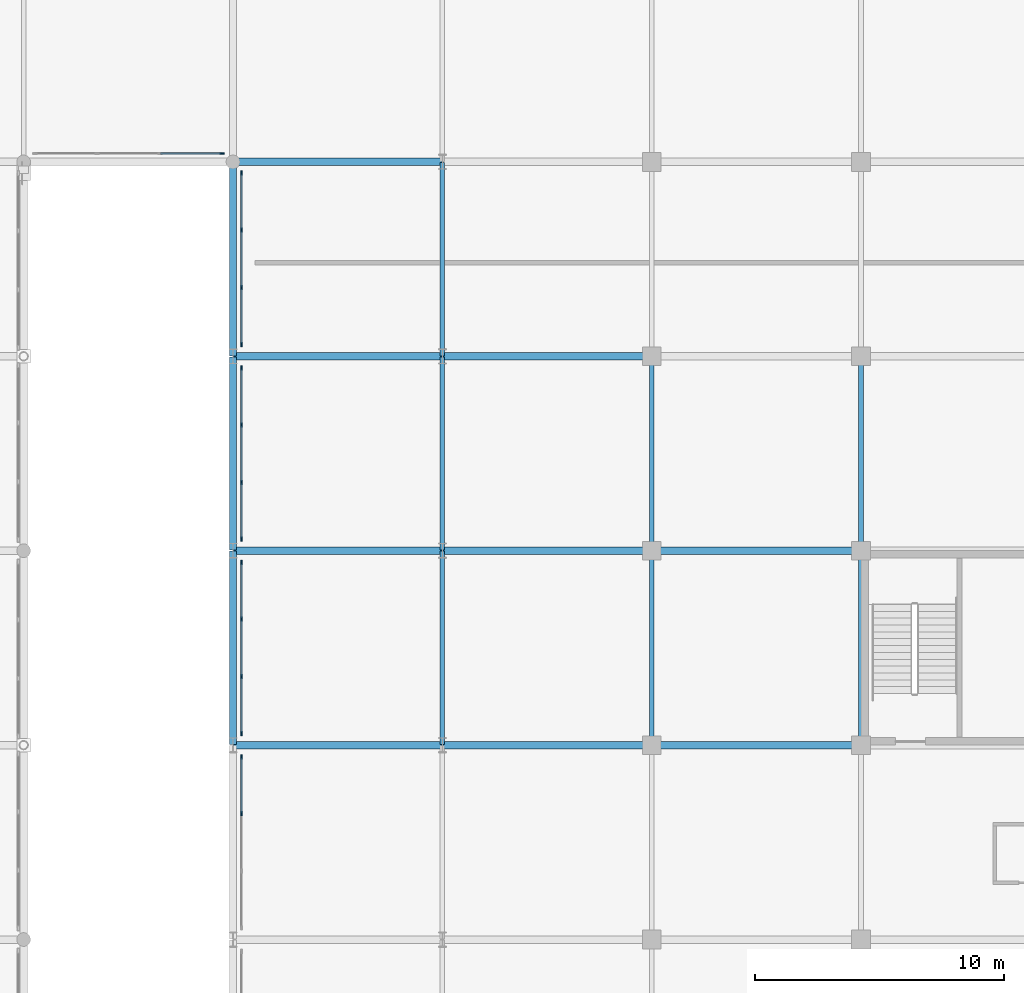
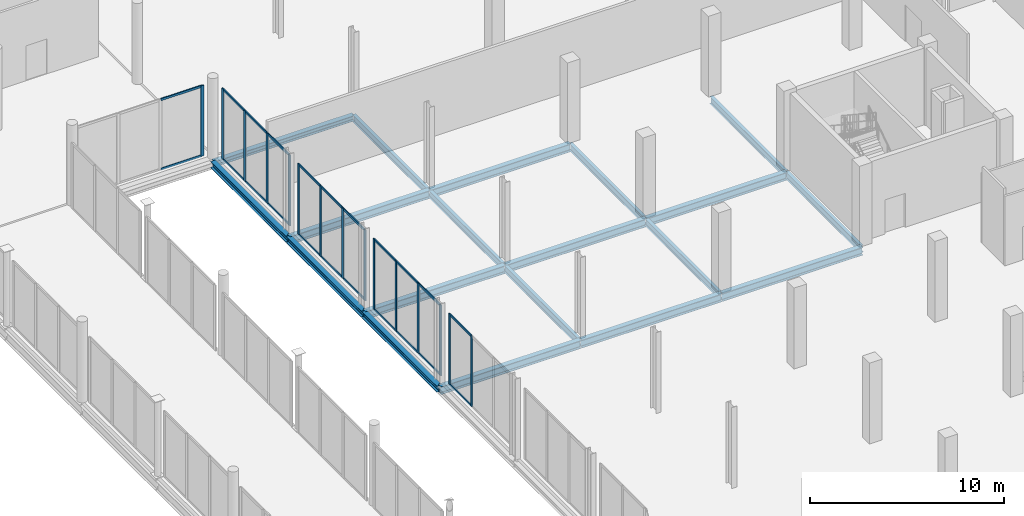
# One storey, part 61 of 105: 37 members, 19 beams, 5 elements without a shape of their own.
"""IFC4 building model written with IfcOpenShell, lengths in metres."""

from ifc_helpers import new_model, si_unit, direction, frame, origin, origin_2d, place, context, subcontext, project, spatial, rectangle, i_section, extrude, material, material_profile, profile_set, type_object, element, aggregate, save


model = new_model("IFC4")

# Units and contexts
model_context = context("Model", 3, precision=1e-05, world=origin(), true_north=direction((0.0, 1.0)))
body_context = subcontext(model_context, "Body", "Model", "MODEL_VIEW")
ifc_project = project(units=[si_unit("LENGTHUNIT", "METRE"), si_unit("AREAUNIT", "SQUARE_METRE"), si_unit("VOLUMEUNIT", "CUBIC_METRE"), si_unit("PLANEANGLEUNIT", "RADIAN"), si_unit("MASSUNIT", "GRAM", prefix="KILO")], contexts=[model_context])

# Site, building, storey
site_placement = place(None, origin())
site = spatial("IfcSite", under=ifc_project, at=site_placement, CompositionType="ELEMENT")
building_placement = place(site_placement, origin())
building = spatial("IfcBuilding", under=site, at=building_placement, Name="Nabrawat Pavilion Hospital", CompositionType="ELEMENT")
storey_placement = place(building_placement, frame((0.0, 0.0, 5.10009765625)))
storey = spatial("IfcBuildingStorey", under=building, at=storey_placement, Name="L01", CompositionType="ELEMENT", Elevation=5.10009765625)

# Curtain wall, member
ifc_material_1 = material(Name="Anodised Aluminium", Category="aluminium")
curtain_wall_type = type_object("IfcCurtainWallType", Name="Healing Garden Cloister Curtain Wall", PredefinedType="USERDEFINED", material=ifc_material_1)
curtain_wall_1_placement = place(storey_placement, origin())
curtain_wall_1 = element("IfcCurtainWall", 1, at=curtain_wall_1_placement, inside=storey, type_object=curtain_wall_type, Name="L01 Healing Garden Cloister Curtain Wall 084", ObjectType="CURTAIN WALL", PredefinedType="USERDEFINED")
ifc_material_profile_1 = material_profile(ifc_material_1, rectangle(XDim=0.06494140625, YDim=0.179931640625, at=origin_2d()), Name="CWM 65x180")
ifc_profile_set_1 = profile_set([ifc_material_profile_1], Name="Anodised Aluminium")
member_type_1 = type_object("IfcMemberType", Name="Healing Garden Cloister Curtain Wall Mullion CWM 65x180", PredefinedType="MULLION", material=ifc_profile_set_1)
member_1_placement = place(storey_placement, frame((125.552490234375, 86.139892578125, 0.0), z_axis=(0.0, 0.0, 1.0), x_axis=(0.0, 1.0, 0.0)))
member_1 = element("IfcMember", 2, at=member_1_placement, type_object=member_type_1, Name="CW-CLN-01 mullion 4", PredefinedType="MULLION", context=body_context, shape_type="SweptSolid", body=[
    extrude(rectangle(XDim=0.06494140625, YDim=0.179931640625, at=origin_2d()), origin(), (0.0, 0.0, 1.0), 4.43994140625),
])

# Curtain wall, members
curtain_wall_2_placement = place(storey_placement, origin())
curtain_wall_2 = element("IfcCurtainWall", 3, at=curtain_wall_2_placement, inside=storey, type_object=curtain_wall_type, Name="L01 Healing Garden Cloister Curtain Wall 088", ObjectType="CURTAIN WALL", PredefinedType="USERDEFINED")
member_2_placement = place(storey_placement, frame((126.340087890625, 59.6533203125, 0.0), z_axis=(0.0, 0.0, 1.0), x_axis=(-1.0, 0.0, 0.0)))
member_2 = element("IfcMember", 4, at=member_2_placement, type_object=member_type_1, Name="CW-CLN-01 mullion 3", PredefinedType="MULLION", context=body_context, shape_type="SweptSolid", body=[
    extrude(rectangle(XDim=0.06494140625, YDim=0.179931640625, at=origin_2d()), origin(), (0.0, 0.0, 1.0), 4.43994140625),
])
member_3_placement = place(storey_placement, frame((126.340087890625, 61.927490234375, 0.0), z_axis=(0.0, 0.0, 1.0), x_axis=(-1.0, 0.0, 0.0)))
member_3 = element("IfcMember", 5, at=member_3_placement, type_object=member_type_1, Name="CW-CLN-01 mullion 4", PredefinedType="MULLION", context=body_context, shape_type="SweptSolid", body=[
    extrude(rectangle(XDim=0.06494140625, YDim=0.179931640625, at=origin_2d()), origin(), (0.0, 0.0, 1.0), 4.43994140625),
])

curtain_wall_3_placement = place(storey_placement, origin())
curtain_wall_3 = element("IfcCurtainWall", 6, at=curtain_wall_3_placement, inside=storey, type_object=curtain_wall_type, Name="L01 Healing Garden Cloister Curtain Wall 089", ObjectType="CURTAIN WALL", PredefinedType="USERDEFINED")
member_4_placement = place(storey_placement, frame((126.340087890625, 62.87255859375, 0.0), z_axis=(0.0, 0.0, 1.0), x_axis=(-1.0, 0.0, 0.0)))
member_4 = element("IfcMember", 7, at=member_4_placement, type_object=member_type_1, Name="CW-CLN-01 mullion 1", PredefinedType="MULLION", context=body_context, shape_type="SweptSolid", body=[
    extrude(rectangle(XDim=0.06494140625, YDim=0.179931640625, at=origin_2d()), origin(), (0.0, 0.0, 1.0), 4.43994140625),
])
member_5_placement = place(storey_placement, frame((126.340087890625, 65.146728515625, 0.0), z_axis=(0.0, 0.0, 1.0), x_axis=(-1.0, 0.0, 0.0)))
member_5 = element("IfcMember", 8, at=member_5_placement, type_object=member_type_1, Name="CW-CLN-01 mullion 2", PredefinedType="MULLION", context=body_context, shape_type="SweptSolid", body=[
    extrude(rectangle(XDim=0.06494140625, YDim=0.179931640625, at=origin_2d()), origin(), (0.0, 0.0, 1.0), 4.43994140625),
])
member_6_placement = place(storey_placement, frame((126.340087890625, 67.453369140625, 0.0), z_axis=(0.0, 0.0, 1.0), x_axis=(-1.0, 0.0, 0.0)))
member_6 = element("IfcMember", 9, at=member_6_placement, type_object=member_type_1, Name="CW-CLN-01 mullion 3", PredefinedType="MULLION", context=body_context, shape_type="SweptSolid", body=[
    extrude(rectangle(XDim=0.06494140625, YDim=0.179931640625, at=origin_2d()), origin(), (0.0, 0.0, 1.0), 4.43994140625),
])
member_7_placement = place(storey_placement, frame((126.340087890625, 69.7275390625, 0.0), z_axis=(0.0, 0.0, 1.0), x_axis=(-1.0, 0.0, 0.0)))
member_7 = element("IfcMember", 10, at=member_7_placement, type_object=member_type_1, Name="CW-CLN-01 mullion 4", PredefinedType="MULLION", context=body_context, shape_type="SweptSolid", body=[
    extrude(rectangle(XDim=0.06494140625, YDim=0.179931640625, at=origin_2d()), origin(), (0.0, 0.0, 1.0), 4.43994140625),
])

curtain_wall_4_placement = place(storey_placement, origin())
curtain_wall_4 = element("IfcCurtainWall", 11, at=curtain_wall_4_placement, inside=storey, type_object=curtain_wall_type, Name="L01 Healing Garden Cloister Curtain Wall 090", ObjectType="CURTAIN WALL", PredefinedType="USERDEFINED")
member_8_placement = place(storey_placement, frame((126.340087890625, 70.672607421875, 0.0), z_axis=(0.0, 0.0, 1.0), x_axis=(-1.0, 0.0, 0.0)))
member_8 = element("IfcMember", 12, at=member_8_placement, type_object=member_type_1, Name="CW-CLN-01 mullion 1", PredefinedType="MULLION", context=body_context, shape_type="SweptSolid", body=[
    extrude(rectangle(XDim=0.06494140625, YDim=0.179931640625, at=origin_2d()), origin(), (0.0, 0.0, 1.0), 4.43994140625),
])
member_9_placement = place(storey_placement, frame((126.340087890625, 72.94677734375, 0.0), z_axis=(0.0, 0.0, 1.0), x_axis=(-1.0, 0.0, 0.0)))
member_9 = element("IfcMember", 13, at=member_9_placement, type_object=member_type_1, Name="CW-CLN-01 mullion 2", PredefinedType="MULLION", context=body_context, shape_type="SweptSolid", body=[
    extrude(rectangle(XDim=0.06494140625, YDim=0.179931640625, at=origin_2d()), origin(), (0.0, 0.0, 1.0), 4.43994140625),
])
member_10_placement = place(storey_placement, frame((126.340087890625, 75.25341796875, 0.0), z_axis=(0.0, 0.0, 1.0), x_axis=(-1.0, 0.0, 0.0)))
member_10 = element("IfcMember", 14, at=member_10_placement, type_object=member_type_1, Name="CW-CLN-01 mullion 3", PredefinedType="MULLION", context=body_context, shape_type="SweptSolid", body=[
    extrude(rectangle(XDim=0.06494140625, YDim=0.179931640625, at=origin_2d()), origin(), (0.0, 0.0, 1.0), 4.43994140625),
])
member_11_placement = place(storey_placement, frame((126.340087890625, 77.527587890625, 0.0), z_axis=(0.0, 0.0, 1.0), x_axis=(-1.0, 0.0, 0.0)))
member_11 = element("IfcMember", 15, at=member_11_placement, type_object=member_type_1, Name="CW-CLN-01 mullion 4", PredefinedType="MULLION", context=body_context, shape_type="SweptSolid", body=[
    extrude(rectangle(XDim=0.06494140625, YDim=0.179931640625, at=origin_2d()), origin(), (0.0, 0.0, 1.0), 4.43994140625),
])

curtain_wall_5_placement = place(storey_placement, origin())
curtain_wall_5 = element("IfcCurtainWall", 16, at=curtain_wall_5_placement, inside=storey, type_object=curtain_wall_type, Name="L01 Healing Garden Cloister Curtain Wall 091", ObjectType="CURTAIN WALL", PredefinedType="USERDEFINED")
member_12_placement = place(storey_placement, frame((126.340087890625, 78.472412109375, 0.0), z_axis=(0.0, 0.0, 1.0), x_axis=(-1.0, 0.0, 0.0)))
member_12 = element("IfcMember", 17, at=member_12_placement, type_object=member_type_1, Name="CW-CLN-01 mullion 1", PredefinedType="MULLION", context=body_context, shape_type="SweptSolid", body=[
    extrude(rectangle(XDim=0.06494140625, YDim=0.179931640625, at=origin_2d()), origin(), (0.0, 0.0, 1.0), 4.43994140625),
])
member_13_placement = place(storey_placement, frame((126.340087890625, 80.7548828125, 0.0), z_axis=(0.0, 0.0, 1.0), x_axis=(-1.0, 0.0, 0.0)))
member_13 = element("IfcMember", 18, at=member_13_placement, type_object=member_type_1, Name="CW-CLN-01 mullion 2", PredefinedType="MULLION", context=body_context, shape_type="SweptSolid", body=[
    extrude(rectangle(XDim=0.06494140625, YDim=0.179931640625, at=origin_2d()), origin(), (0.0, 0.0, 1.0), 4.43994140625),
])
member_14_placement = place(storey_placement, frame((126.340087890625, 83.070068359375, 0.0), z_axis=(0.0, 0.0, 1.0), x_axis=(-1.0, 0.0, 0.0)))
member_14 = element("IfcMember", 19, at=member_14_placement, type_object=member_type_1, Name="CW-CLN-01 mullion 3", PredefinedType="MULLION", context=body_context, shape_type="SweptSolid", body=[
    extrude(rectangle(XDim=0.06494140625, YDim=0.179931640625, at=origin_2d()), origin(), (0.0, 0.0, 1.0), 4.43994140625),
])
member_15_placement = place(storey_placement, frame((126.340087890625, 85.3525390625, 0.0), z_axis=(0.0, 0.0, 1.0), x_axis=(-1.0, 0.0, 0.0)))
member_15 = element("IfcMember", 20, at=member_15_placement, type_object=member_type_1, Name="CW-CLN-01 mullion 4", PredefinedType="MULLION", context=body_context, shape_type="SweptSolid", body=[
    extrude(rectangle(XDim=0.06494140625, YDim=0.179931640625, at=origin_2d()), origin(), (0.0, 0.0, 1.0), 4.43994140625),
])

# Member
ifc_material_profile_2 = material_profile(ifc_material_1, rectangle(XDim=0.06494140625, YDim=0.135009765625, at=origin_2d()), Name="CWT 65x135")
ifc_profile_set_2 = profile_set([ifc_material_profile_2], Name="Anodised Aluminium")
member_type_2 = type_object("IfcMemberType", Name="Healing Garden Cloister Curtain Wall Transom CWT 65x135", PredefinedType="USERDEFINED", material=ifc_profile_set_2)
member_16_placement = place(storey_placement, frame((123.09423828125, 86.139892578125, 0.032470703125), z_axis=(1.0, 0.0, 0.0), x_axis=(0.0, 1.0, 0.0)))
member_16 = element("IfcMember", 21, at=member_16_placement, type_object=member_type_2, Name="CW-CLN-01 transom 3.1", ObjectType="TRANSOM", PredefinedType="USERDEFINED", context=body_context, shape_type="SweptSolid", body=[
    extrude(rectangle(XDim=0.06494140625, YDim=0.135009765625, at=origin_2d()), origin(), (0.0, 0.0, 1.0), 2.42578125),
])

member_17_placement = place(storey_placement, frame((123.09423828125, 86.139892578125, 4.407470703125), z_axis=(1.0, 0.0, 0.0), x_axis=(0.0, 1.0, 0.0)))
member_17 = element("IfcMember", 22, at=member_17_placement, type_object=member_type_2, Name="CW-CLN-01 transom 3.2", ObjectType="TRANSOM", PredefinedType="USERDEFINED", context=body_context, shape_type="SweptSolid", body=[
    extrude(rectangle(XDim=0.06494140625, YDim=0.135009765625, at=origin_2d()), origin(), (0.0, 0.0, 1.0), 2.42578125),
])

aggregate(curtain_wall_1, [member_1, member_16, member_17])

member_18_placement = place(storey_placement, frame((126.340087890625, 59.685791015625, 0.032470703125), z_axis=(0.0, 1.0, 0.0), x_axis=(-1.0, 0.0, 0.0)))
member_18 = element("IfcMember", 23, at=member_18_placement, type_object=member_type_2, Name="CW-CLN-01 transom 3.1", ObjectType="TRANSOM", PredefinedType="USERDEFINED", context=body_context, shape_type="SweptSolid", body=[
    extrude(rectangle(XDim=0.06494140625, YDim=0.135009765625, at=origin_2d()), origin(), (0.0, 0.0, 1.0), 2.209228515625),
])

member_19_placement = place(storey_placement, frame((126.340087890625, 59.685791015625, 4.407470703125), z_axis=(0.0, 1.0, 0.0), x_axis=(-1.0, 0.0, 0.0)))
member_19 = element("IfcMember", 24, at=member_19_placement, type_object=member_type_2, Name="CW-CLN-01 transom 3.2", ObjectType="TRANSOM", PredefinedType="USERDEFINED", context=body_context, shape_type="SweptSolid", body=[
    extrude(rectangle(XDim=0.06494140625, YDim=0.135009765625, at=origin_2d()), origin(), (0.0, 0.0, 1.0), 2.209228515625),
])

aggregate(curtain_wall_2, [member_2, member_3, member_18, member_19])

member_20_placement = place(storey_placement, frame((126.340087890625, 62.905029296875, 0.032470703125), z_axis=(0.0, 1.0, 0.0), x_axis=(-1.0, 0.0, 0.0)))
member_20 = element("IfcMember", 25, at=member_20_placement, type_object=member_type_2, Name="CW-CLN-01 transom 1.1", ObjectType="TRANSOM", PredefinedType="USERDEFINED", context=body_context, shape_type="SweptSolid", body=[
    extrude(rectangle(XDim=0.06494140625, YDim=0.135009765625, at=origin_2d()), origin(), (0.0, 0.0, 1.0), 2.209228515625),
])

member_21_placement = place(storey_placement, frame((126.340087890625, 62.905029296875, 4.407470703125), z_axis=(0.0, 1.0, 0.0), x_axis=(-1.0, 0.0, 0.0)))
member_21 = element("IfcMember", 26, at=member_21_placement, type_object=member_type_2, Name="CW-CLN-01 transom 1.2", ObjectType="TRANSOM", PredefinedType="USERDEFINED", context=body_context, shape_type="SweptSolid", body=[
    extrude(rectangle(XDim=0.06494140625, YDim=0.135009765625, at=origin_2d()), origin(), (0.0, 0.0, 1.0), 2.209228515625),
])

member_22_placement = place(storey_placement, frame((126.340087890625, 65.17919921875, 0.032470703125), z_axis=(0.0, 1.0, 0.0), x_axis=(-1.0, 0.0, 0.0)))
member_22 = element("IfcMember", 27, at=member_22_placement, type_object=member_type_2, Name="CW-CLN-01 transom 2.1", ObjectType="TRANSOM", PredefinedType="USERDEFINED", context=body_context, shape_type="SweptSolid", body=[
    extrude(rectangle(XDim=0.06494140625, YDim=0.135009765625, at=origin_2d()), origin(), (0.0, 0.0, 1.0), 2.24169921875),
])

member_23_placement = place(storey_placement, frame((126.340087890625, 65.17919921875, 4.407470703125), z_axis=(0.0, 1.0, 0.0), x_axis=(-1.0, 0.0, 0.0)))
member_23 = element("IfcMember", 28, at=member_23_placement, type_object=member_type_2, Name="CW-CLN-01 transom 2.2", ObjectType="TRANSOM", PredefinedType="USERDEFINED", context=body_context, shape_type="SweptSolid", body=[
    extrude(rectangle(XDim=0.06494140625, YDim=0.135009765625, at=origin_2d()), origin(), (0.0, 0.0, 1.0), 2.24169921875),
])

member_24_placement = place(storey_placement, frame((126.340087890625, 67.48583984375, 0.032470703125), z_axis=(0.0, 1.0, 0.0), x_axis=(-1.0, 0.0, 0.0)))
member_24 = element("IfcMember", 29, at=member_24_placement, type_object=member_type_2, Name="CW-CLN-01 transom 3.1", ObjectType="TRANSOM", PredefinedType="USERDEFINED", context=body_context, shape_type="SweptSolid", body=[
    extrude(rectangle(XDim=0.06494140625, YDim=0.135009765625, at=origin_2d()), origin(), (0.0, 0.0, 1.0), 2.209228515625),
])

member_25_placement = place(storey_placement, frame((126.340087890625, 67.48583984375, 4.407470703125), z_axis=(0.0, 1.0, 0.0), x_axis=(-1.0, 0.0, 0.0)))
member_25 = element("IfcMember", 30, at=member_25_placement, type_object=member_type_2, Name="CW-CLN-01 transom 3.2", ObjectType="TRANSOM", PredefinedType="USERDEFINED", context=body_context, shape_type="SweptSolid", body=[
    extrude(rectangle(XDim=0.06494140625, YDim=0.135009765625, at=origin_2d()), origin(), (0.0, 0.0, 1.0), 2.209228515625),
])

aggregate(curtain_wall_3, [member_4, member_5, member_6, member_7, member_20, member_21, member_22, member_23, member_24, member_25])

member_26_placement = place(storey_placement, frame((126.340087890625, 70.705078125, 0.032470703125), z_axis=(0.0, 1.0, 0.0), x_axis=(-1.0, 0.0, 0.0)))
member_26 = element("IfcMember", 31, at=member_26_placement, type_object=member_type_2, Name="CW-CLN-01 transom 1.1", ObjectType="TRANSOM", PredefinedType="USERDEFINED", context=body_context, shape_type="SweptSolid", body=[
    extrude(rectangle(XDim=0.06494140625, YDim=0.135009765625, at=origin_2d()), origin(), (0.0, 0.0, 1.0), 2.208984375),
])

member_27_placement = place(storey_placement, frame((126.340087890625, 70.705078125, 4.407470703125), z_axis=(0.0, 1.0, 0.0), x_axis=(-1.0, 0.0, 0.0)))
member_27 = element("IfcMember", 32, at=member_27_placement, type_object=member_type_2, Name="CW-CLN-01 transom 1.2", ObjectType="TRANSOM", PredefinedType="USERDEFINED", context=body_context, shape_type="SweptSolid", body=[
    extrude(rectangle(XDim=0.06494140625, YDim=0.135009765625, at=origin_2d()), origin(), (0.0, 0.0, 1.0), 2.208984375),
])

member_28_placement = place(storey_placement, frame((126.340087890625, 72.979248046875, 0.032470703125), z_axis=(0.0, 1.0, 0.0), x_axis=(-1.0, 0.0, 0.0)))
member_28 = element("IfcMember", 33, at=member_28_placement, type_object=member_type_2, Name="CW-CLN-01 transom 2.1", ObjectType="TRANSOM", PredefinedType="USERDEFINED", context=body_context, shape_type="SweptSolid", body=[
    extrude(rectangle(XDim=0.06494140625, YDim=0.135009765625, at=origin_2d()), origin(), (0.0, 0.0, 1.0), 2.24169921875),
])

member_29_placement = place(storey_placement, frame((126.340087890625, 72.979248046875, 4.407470703125), z_axis=(0.0, 1.0, 0.0), x_axis=(-1.0, 0.0, 0.0)))
member_29 = element("IfcMember", 34, at=member_29_placement, type_object=member_type_2, Name="CW-CLN-01 transom 2.2", ObjectType="TRANSOM", PredefinedType="USERDEFINED", context=body_context, shape_type="SweptSolid", body=[
    extrude(rectangle(XDim=0.06494140625, YDim=0.135009765625, at=origin_2d()), origin(), (0.0, 0.0, 1.0), 2.24169921875),
])

member_30_placement = place(storey_placement, frame((126.340087890625, 75.285888671875, 0.032470703125), z_axis=(0.0, 1.0, 0.0), x_axis=(-1.0, 0.0, 0.0)))
member_30 = element("IfcMember", 35, at=member_30_placement, type_object=member_type_2, Name="CW-CLN-01 transom 3.1", ObjectType="TRANSOM", PredefinedType="USERDEFINED", context=body_context, shape_type="SweptSolid", body=[
    extrude(rectangle(XDim=0.06494140625, YDim=0.135009765625, at=origin_2d()), origin(), (0.0, 0.0, 1.0), 2.209228515625),
])

member_31_placement = place(storey_placement, frame((126.340087890625, 75.285888671875, 4.407470703125), z_axis=(0.0, 1.0, 0.0), x_axis=(-1.0, 0.0, 0.0)))
member_31 = element("IfcMember", 36, at=member_31_placement, type_object=member_type_2, Name="CW-CLN-01 transom 3.2", ObjectType="TRANSOM", PredefinedType="USERDEFINED", context=body_context, shape_type="SweptSolid", body=[
    extrude(rectangle(XDim=0.06494140625, YDim=0.135009765625, at=origin_2d()), origin(), (0.0, 0.0, 1.0), 2.209228515625),
])

aggregate(curtain_wall_4, [member_8, member_9, member_10, member_11, member_26, member_27, member_28, member_29, member_30, member_31])

member_32_placement = place(storey_placement, frame((126.340087890625, 78.5048828125, 0.032470703125), z_axis=(0.0, 1.0, 0.0), x_axis=(-1.0, 0.0, 0.0)))
member_32 = element("IfcMember", 37, at=member_32_placement, type_object=member_type_2, Name="CW-CLN-01 transom 1.1", ObjectType="TRANSOM", PredefinedType="USERDEFINED", context=body_context, shape_type="SweptSolid", body=[
    extrude(rectangle(XDim=0.06494140625, YDim=0.135009765625, at=origin_2d()), origin(), (0.0, 0.0, 1.0), 2.217529296875),
])

member_33_placement = place(storey_placement, frame((126.340087890625, 78.5048828125, 4.407470703125), z_axis=(0.0, 1.0, 0.0), x_axis=(-1.0, 0.0, 0.0)))
member_33 = element("IfcMember", 38, at=member_33_placement, type_object=member_type_2, Name="CW-CLN-01 transom 1.2", ObjectType="TRANSOM", PredefinedType="USERDEFINED", context=body_context, shape_type="SweptSolid", body=[
    extrude(rectangle(XDim=0.06494140625, YDim=0.135009765625, at=origin_2d()), origin(), (0.0, 0.0, 1.0), 2.217529296875),
])

member_34_placement = place(storey_placement, frame((126.340087890625, 80.78759765625, 0.032470703125), z_axis=(0.0, 1.0, 0.0), x_axis=(-1.0, 0.0, 0.0)))
member_34 = element("IfcMember", 39, at=member_34_placement, type_object=member_type_2, Name="CW-CLN-01 transom 2.1", ObjectType="TRANSOM", PredefinedType="USERDEFINED", context=body_context, shape_type="SweptSolid", body=[
    extrude(rectangle(XDim=0.06494140625, YDim=0.135009765625, at=origin_2d()), origin(), (0.0, 0.0, 1.0), 2.25),
])

member_35_placement = place(storey_placement, frame((126.340087890625, 80.78759765625, 4.407470703125), z_axis=(0.0, 1.0, 0.0), x_axis=(-1.0, 0.0, 0.0)))
member_35 = element("IfcMember", 40, at=member_35_placement, type_object=member_type_2, Name="CW-CLN-01 transom 2.2", ObjectType="TRANSOM", PredefinedType="USERDEFINED", context=body_context, shape_type="SweptSolid", body=[
    extrude(rectangle(XDim=0.06494140625, YDim=0.135009765625, at=origin_2d()), origin(), (0.0, 0.0, 1.0), 2.25),
])

member_36_placement = place(storey_placement, frame((126.340087890625, 83.1025390625, 0.032470703125), z_axis=(0.0, 1.0, 0.0), x_axis=(-1.0, 0.0, 0.0)))
member_36 = element("IfcMember", 41, at=member_36_placement, type_object=member_type_2, Name="CW-CLN-01 transom 3.1", ObjectType="TRANSOM", PredefinedType="USERDEFINED", context=body_context, shape_type="SweptSolid", body=[
    extrude(rectangle(XDim=0.06494140625, YDim=0.135009765625, at=origin_2d()), origin(), (0.0, 0.0, 1.0), 2.217529296875),
])

member_37_placement = place(storey_placement, frame((126.340087890625, 83.1025390625, 4.407470703125), z_axis=(0.0, 1.0, 0.0), x_axis=(-1.0, 0.0, 0.0)))
member_37 = element("IfcMember", 42, at=member_37_placement, type_object=member_type_2, Name="CW-CLN-01 transom 3.2", ObjectType="TRANSOM", PredefinedType="USERDEFINED", context=body_context, shape_type="SweptSolid", body=[
    extrude(rectangle(XDim=0.06494140625, YDim=0.135009765625, at=origin_2d()), origin(), (0.0, 0.0, 1.0), 2.217529296875),
])

aggregate(curtain_wall_5, [member_12, member_13, member_14, member_15, member_32, member_33, member_34, member_35, member_36, member_37])

# Beams
ifc_material_2 = material(Name="Steel S355", Category="steel")
ifc_material_profile_3 = material_profile(ifc_material_2, i_section(OverallWidth=0.300048828125, OverallDepth=0.389892578125, WebThickness=0.010986328125, FlangeThickness=0.01904296875, FilletRadius=0.027099609375, at=origin_2d()), Name="HEA 400")
ifc_profile_set_3 = profile_set([ifc_material_profile_3], Name="Steel S355")
beam_type_1 = type_object("IfcBeamType", Name="Perimeter Moment Spandrel Beam HEA 400", PredefinedType="SPANDREL", material=ifc_profile_set_3)
for number, where, z_axis, x_axis, name in (
    (43, (126.0, 62.419921875, -0.445068359375), (0.0, 1.0, 0.0), (-1.0, 0.0, 0.0), "L01 Primary Y Beam 806"),
    (44, (126.0, 70.219970703125, -0.445068359375), (0.0, 1.0, 0.0), (-1.0, 0.0, 0.0), "L01 Primary Y Beam 807"),
    (45, (126.0, 78.02001953125, -0.445068359375), (0.0, 1.0, 0.0), (-1.0, 0.0, 0.0), "L01 Primary Y Beam 808"),
):
    element("IfcBeam", number, at=place(storey_placement, frame(where, z_axis=z_axis, x_axis=x_axis)), inside=storey, type_object=beam_type_1, Name=name, PredefinedType="SPANDREL", context=body_context, shape_type="SweptSolid", body=[
        extrude(i_section(OverallWidth=0.300048828125, OverallDepth=0.389892578125, WebThickness=0.010986328125, FlangeThickness=0.01904296875, FilletRadius=0.027099609375, at=origin_2d()), origin(), (0.0, 0.0, 1.0), 7.760009765625),
    ])
ifc_material_profile_4 = material_profile(ifc_material_2, i_section(OverallWidth=0.300048828125, OverallDepth=0.5, WebThickness=0.014404296875, FlangeThickness=0.028076171875, FilletRadius=0.027099609375, at=origin_2d()), Name="HEB 500")
ifc_profile_set_4 = profile_set([ifc_material_profile_4], Name="Steel S355")
beam_type_2 = type_object("IfcBeamType", Name="Primary Floor Girder HEB 500", PredefinedType="USERDEFINED", material=ifc_profile_set_4)
beam_1_placement = place(storey_placement, frame((126.02001953125, 62.39990234375, -0.5), z_axis=(1.0, 0.0, 0.0), x_axis=(0.0, 1.0, 0.0)))
element("IfcBeam", 46, at=beam_1_placement, inside=storey, type_object=beam_type_2, Name="L01 Primary X Girder 568", ObjectType="GIRDER", PredefinedType="USERDEFINED", context=body_context, shape_type="SweptSolid", body=[
    extrude(i_section(OverallWidth=0.300048828125, OverallDepth=0.5, WebThickness=0.014404296875, FlangeThickness=0.028076171875, FilletRadius=0.027099609375, at=origin_2d()), origin(), (0.0, 0.0, 1.0), 8.35986328125),
])
beam_2_placement = place(storey_placement, frame((134.419921875, 62.39990234375, -0.5), z_axis=(1.0, 0.0, 0.0), x_axis=(0.0, 1.0, 0.0)))
element("IfcBeam", 47, at=beam_2_placement, inside=storey, type_object=beam_type_2, Name="L01 Primary X Girder 569", ObjectType="GIRDER", PredefinedType="USERDEFINED", context=body_context, shape_type="SweptSolid", body=[
    extrude(i_section(OverallWidth=0.300048828125, OverallDepth=0.5, WebThickness=0.014404296875, FlangeThickness=0.028076171875, FilletRadius=0.027099609375, at=origin_2d()), origin(), (0.0, 0.0, 1.0), 8.360107421875),
])
for number, where, z_axis, x_axis, name in (
    (48, (142.820068359375, 62.39990234375, -0.5), (1.0, 0.0, 0.0), (0.0, 1.0, 0.0), "L01 Primary X Girder 570"),
    (49, (126.02001953125, 70.199951171875, -0.5), (1.0, 0.0, 0.0), (0.0, 1.0, 0.0), "L01 Primary X Girder 579"),
):
    element("IfcBeam", number, at=place(storey_placement, frame(where, z_axis=z_axis, x_axis=x_axis)), inside=storey, type_object=beam_type_2, Name=name, ObjectType="GIRDER", PredefinedType="USERDEFINED", context=body_context, shape_type="SweptSolid", body=[
        extrude(i_section(OverallWidth=0.300048828125, OverallDepth=0.5, WebThickness=0.014404296875, FlangeThickness=0.028076171875, FilletRadius=0.027099609375, at=origin_2d()), origin(), (0.0, 0.0, 1.0), 8.35986328125),
    ])
beam_3_placement = place(storey_placement, frame((134.419921875, 70.199951171875, -0.5), z_axis=(1.0, 0.0, 0.0), x_axis=(0.0, 1.0, 0.0)))
element("IfcBeam", 50, at=beam_3_placement, inside=storey, type_object=beam_type_2, Name="L01 Primary X Girder 580", ObjectType="GIRDER", PredefinedType="USERDEFINED", context=body_context, shape_type="SweptSolid", body=[
    extrude(i_section(OverallWidth=0.300048828125, OverallDepth=0.5, WebThickness=0.014404296875, FlangeThickness=0.028076171875, FilletRadius=0.027099609375, at=origin_2d()), origin(), (0.0, 0.0, 1.0), 8.360107421875),
])
for number, where, z_axis, x_axis, name in (
    (51, (142.820068359375, 70.199951171875, -0.5), (1.0, 0.0, 0.0), (0.0, 1.0, 0.0), "L01 Primary X Girder 581"),
    (52, (126.02001953125, 78.0, -0.5), (1.0, 0.0, 0.0), (0.0, 1.0, 0.0), "L01 Primary X Girder 591"),
):
    element("IfcBeam", number, at=place(storey_placement, frame(where, z_axis=z_axis, x_axis=x_axis)), inside=storey, type_object=beam_type_2, Name=name, ObjectType="GIRDER", PredefinedType="USERDEFINED", context=body_context, shape_type="SweptSolid", body=[
        extrude(i_section(OverallWidth=0.300048828125, OverallDepth=0.5, WebThickness=0.014404296875, FlangeThickness=0.028076171875, FilletRadius=0.027099609375, at=origin_2d()), origin(), (0.0, 0.0, 1.0), 8.35986328125),
    ])
beam_4_placement = place(storey_placement, frame((134.419921875, 78.0, -0.5), z_axis=(1.0, 0.0, 0.0), x_axis=(0.0, 1.0, 0.0)))
element("IfcBeam", 53, at=beam_4_placement, inside=storey, type_object=beam_type_2, Name="L01 Primary X Girder 592", ObjectType="GIRDER", PredefinedType="USERDEFINED", context=body_context, shape_type="SweptSolid", body=[
    extrude(i_section(OverallWidth=0.300048828125, OverallDepth=0.5, WebThickness=0.014404296875, FlangeThickness=0.028076171875, FilletRadius=0.027099609375, at=origin_2d()), origin(), (0.0, 0.0, 1.0), 8.360107421875),
])
ifc_material_profile_5 = material_profile(ifc_material_2, i_section(OverallWidth=0.18994140625, OverallDepth=0.449951171875, WebThickness=0.009521484375, FlangeThickness=0.0146484375, FilletRadius=0.02099609375, at=origin_2d()), Name="IPE 450")
ifc_profile_set_5 = profile_set([ifc_material_profile_5], Name="Steel S355")
beam_type_3 = type_object("IfcBeamType", Name="Primary Y Floor Beam IPE 450", PredefinedType="BEAM", material=ifc_profile_set_5)
for number, where, z_axis, x_axis, name in (
    (54, (134.39990234375, 62.419921875, -0.47509765625), (0.0, 1.0, 0.0), (-1.0, 0.0, 0.0), "L01 Primary Y Beam 822"),
    (55, (134.39990234375, 70.219970703125, -0.47509765625), (0.0, 1.0, 0.0), (-1.0, 0.0, 0.0), "L01 Primary Y Beam 823"),
    (56, (134.39990234375, 78.02001953125, -0.47509765625), (0.0, 1.0, 0.0), (-1.0, 0.0, 0.0), "L01 Primary Y Beam 824"),
    (57, (142.800048828125, 62.419921875, -0.47509765625), (0.0, 1.0, 0.0), (-1.0, 0.0, 0.0), "L01 Primary Y Beam 838"),
    (58, (142.800048828125, 70.219970703125, -0.47509765625), (0.0, 1.0, 0.0), (-1.0, 0.0, 0.0), "L01 Primary Y Beam 839"),
    (59, (151.199951171875, 62.419921875, -0.47509765625), (0.0, 1.0, 0.0), (-1.0, 0.0, 0.0), "L01 Primary Y Beam 854"),
    (60, (151.199951171875, 70.219970703125, -0.47509765625), (0.0, 1.0, 0.0), (-1.0, 0.0, 0.0), "L01 Primary Y Beam 855"),
):
    element("IfcBeam", number, at=place(storey_placement, frame(where, z_axis=z_axis, x_axis=x_axis)), inside=storey, type_object=beam_type_3, Name=name, PredefinedType="BEAM", context=body_context, shape_type="SweptSolid", body=[
        extrude(i_section(OverallWidth=0.18994140625, OverallDepth=0.449951171875, WebThickness=0.009521484375, FlangeThickness=0.0146484375, FilletRadius=0.02099609375, at=origin_2d()), origin(), (0.0, 0.0, 1.0), 7.760009765625),
    ])
ifc_material_profile_6 = material_profile(ifc_material_2, i_section(OverallWidth=0.300048828125, OverallDepth=0.340087890625, WebThickness=0.011962890625, FlangeThickness=0.021484375, FilletRadius=0.027099609375, at=origin_2d()), Name="HEB 340")
ifc_profile_set_6 = profile_set([ifc_material_profile_6], Name="Steel S355")
beam_type_4 = type_object("IfcBeamType", Name="Ward Perimeter Spandrel Beam HEB 340", PredefinedType="SPANDREL", material=ifc_profile_set_6)
beam_5_placement = place(storey_placement, frame((126.02001953125, 85.800048828125, -0.420166015625), z_axis=(1.0, 0.0, 0.0), x_axis=(0.0, 1.0, 0.0)))
element("IfcBeam", 61, at=beam_5_placement, inside=storey, type_object=beam_type_4, Name="L01 Primary X Girder 614", PredefinedType="SPANDREL", context=body_context, shape_type="SweptSolid", body=[
    extrude(i_section(OverallWidth=0.300048828125, OverallDepth=0.340087890625, WebThickness=0.011962890625, FlangeThickness=0.021484375, FilletRadius=0.027099609375, at=origin_2d()), origin(), (0.0, 0.0, 1.0), 8.35986328125),
])

save(model, "model.ifc")
